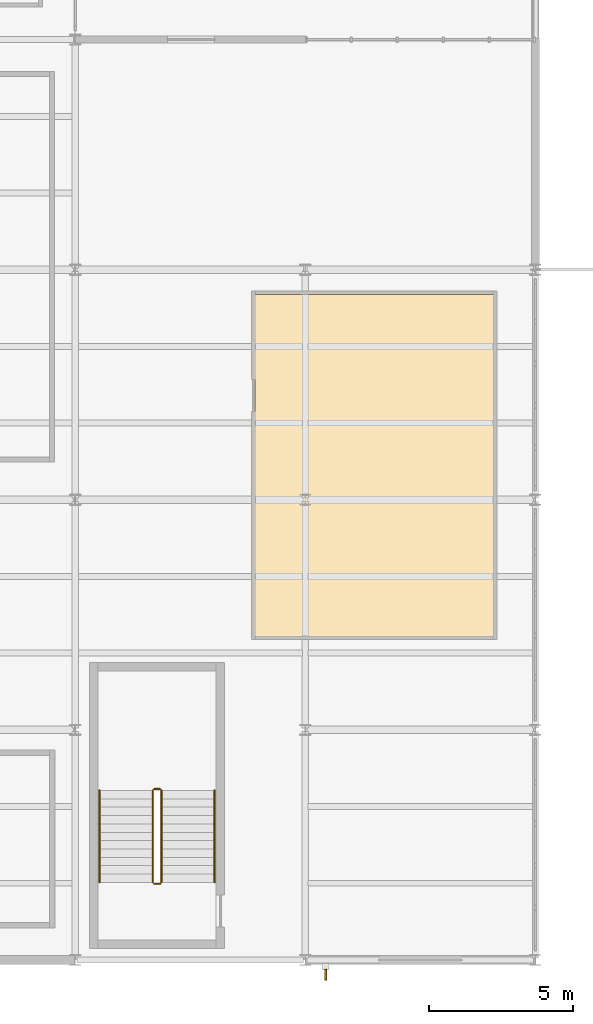
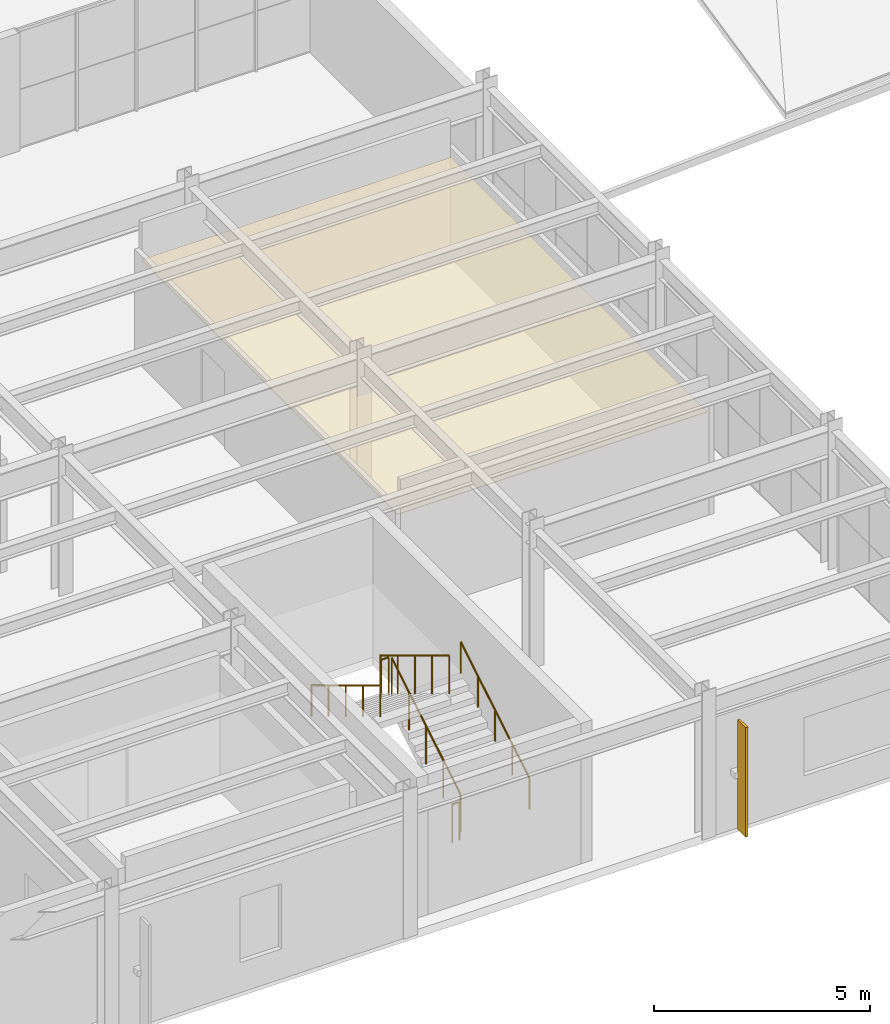
# One storey, part 66 of 67: 6 railings, 1 covering, 1 shading device.
"""IFC4 building model written with IfcOpenShell, lengths in metres."""

from ifc_helpers import new_model, si_unit, direction, frame, origin, origin_2d, place, context, subcontext, project, spatial, polyline, rectangle, circle, outline, extrude, material, layer, layer_set, type_object, element, save


model = new_model("IFC4")

# Units and contexts
model_context = context("Model", 3, precision=1e-05, world=origin(), true_north=direction((0.0, 1.0)))
body_context = subcontext(model_context, "Body", "Model", "MODEL_VIEW")
ifc_project = project(units=[si_unit("LENGTHUNIT", "METRE"), si_unit("AREAUNIT", "SQUARE_METRE"), si_unit("VOLUMEUNIT", "CUBIC_METRE"), si_unit("PLANEANGLEUNIT", "RADIAN"), si_unit("MASSUNIT", "GRAM", prefix="KILO")], contexts=[model_context])

# Site, building, storey
site_placement = place(None, origin())
site = spatial("IfcSite", under=ifc_project, at=site_placement, CompositionType="ELEMENT")
building_placement = place(site_placement, origin())
building = spatial("IfcBuilding", under=site, at=building_placement, Name="Drelvath Fold Interchange", CompositionType="ELEMENT")
storey_placement = place(building_placement, frame((0.0, 0.0, 15.60009765625)))
storey = spatial("IfcBuildingStorey", under=building, at=storey_placement, Name="L03", CompositionType="ELEMENT", Elevation=15.60009765625)

# Covering
ifc_material_1 = material(Name="Perforated Aluminium Acoustic Ceiling", Category="aluminium")
ifc_layer = layer(ifc_material_1, 0.01806640625, Name="Perforated Aluminium Acoustic Ceiling")
ifc_layer_set = layer_set([ifc_layer], Name="Perforated Aluminium Acoustic Ceiling")
covering_type = type_object("IfcCoveringType", Name="CV-CEIL-AL18", PredefinedType="CEILING", material=ifc_layer_set)
covering_placement = place(storey_placement, frame((0.0, 0.0, 2.829833984375)))
element("IfcCovering", 1, at=covering_placement, inside=storey, type_object=covering_type, Name="Fare-System Hardware Testing Lab acoustic ceiling", PredefinedType="CEILING", context=body_context, shape_type="SweptSolid", body=[
    extrude(outline(polyline([(42.2548828125, 14.2548828125), (50.544921875, 14.2548828125), (50.544921875, 26.14501953125), (42.2548828125, 26.14501953125), (42.2548828125, 14.2548828125)])), origin(), (0.0, 0.0, 1.0), 0.02001953125),
])

# Railings
ifc_material_2 = material(Name="Stainless Steel 316L", Category="steel")
railing_type_1 = type_object("IfcRailingType", Name="RL-GRD1100", PredefinedType="GUARDRAIL", material=ifc_material_2)
railing_1_placement = place(storey_placement, frame((39.0, 5.699951171875, 0.1748046875)))
element("IfcRailing", 2, at=railing_1_placement, inside=storey, type_object=railing_type_1, Name="L03 ST-04 stair guard 1", PredefinedType="GUARDRAIL", context=body_context, shape_type="SweptSolid", body=[
    extrude(circle(Radius=0.02392578125, at=origin_2d()), frame((0.0, 0.0, 1.076171875), z_axis=(0.0, 0.856177665481, 0.516681531633), x_axis=(-1.0, 0.0, 0.0)), (0.0, 0.0, 1.0), 3.725830078125),
    extrude(circle(Radius=0.02099609375, at=origin_2d()), origin(), (0.0, 0.0, 1.0), 1.052001953125),
    extrude(circle(Radius=0.02099609375, at=origin_2d()), frame((0.0, 0.79736328125, 0.481201171875)), (0.0, 0.0, 1.0), 1.052001953125),
    extrude(circle(Radius=0.02099609375, at=origin_2d()), frame((0.0, 1.594970703125, 0.96240234375)), (0.0, 0.0, 1.0), 1.052001953125),
    extrude(circle(Radius=0.02099609375, at=origin_2d()), frame((0.0, 2.392578125, 1.44384765625)), (0.0, 0.0, 1.0), 1.052001953125),
    extrude(circle(Radius=0.02099609375, at=origin_2d()), frame((0.0, 3.18994140625, 1.925048828125)), (0.0, 0.0, 1.0), 1.052001953125),
])
railing_2_placement = place(storey_placement, frame((38.949951171875, 8.93994140625, 2.099853515625)))
element("IfcRailing", 3, at=railing_2_placement, inside=storey, type_object=railing_type_1, Name="L03 ST-04 stair guard 2", PredefinedType="GUARDRAIL", context=body_context, shape_type="SweptSolid", body=[
    extrude(circle(Radius=0.02392578125, at=origin_2d()), frame((0.0, 0.0, 1.076171875), z_axis=(-1.0, 0.0, 0.0), x_axis=(0.0, -1.0, 0.0)), (0.0, 0.0, 1.0), 0.199951171875),
    extrude(circle(Radius=0.02099609375, at=origin_2d()), origin(), (0.0, 0.0, 1.0), 1.052001953125),
    extrude(circle(Radius=0.02099609375, at=origin_2d()), frame((-0.199951171875, 0.0, 0.0)), (0.0, 0.0, 1.0), 1.052001953125),
])
railing_3_placement = place(storey_placement, frame((38.699951171875, 8.889892578125, 2.27490234375)))
element("IfcRailing", 4, at=railing_3_placement, inside=storey, type_object=railing_type_1, Name="L03 ST-04 stair guard 3", PredefinedType="GUARDRAIL", context=body_context, shape_type="SweptSolid", body=[
    extrude(circle(Radius=0.02392578125, at=origin_2d()), frame((0.0, 0.0, 1.076171875), z_axis=(0.0, -0.856177665481, 0.516681531633), x_axis=(1.0, 0.0, 0.0)), (0.0, 0.0, 1.0), 3.725830078125),
    extrude(circle(Radius=0.02099609375, at=origin_2d()), origin(), (0.0, 0.0, 1.0), 1.052001953125),
    extrude(circle(Radius=0.02099609375, at=origin_2d()), frame((0.0, -0.79736328125, 0.481201171875)), (0.0, 0.0, 1.0), 1.052001953125),
    extrude(circle(Radius=0.02099609375, at=origin_2d()), frame((0.0, -1.594970703125, 0.96240234375)), (0.0, 0.0, 1.0), 1.052001953125),
    extrude(circle(Radius=0.02099609375, at=origin_2d()), frame((0.0, -2.392578125, 1.44384765625)), (0.0, 0.0, 1.0), 1.052001953125),
    extrude(circle(Radius=0.02099609375, at=origin_2d()), frame((0.0, -3.18994140625, 1.925048828125)), (0.0, 0.0, 1.0), 1.052001953125),
])
railing_4_placement = place(storey_placement, frame((38.949951171875, 5.64990234375, 0.0)))
element("IfcRailing", 5, at=railing_4_placement, inside=storey, type_object=railing_type_1, Name="L03 ST-04 stair guard 4", PredefinedType="GUARDRAIL", context=body_context, shape_type="SweptSolid", body=[
    extrude(circle(Radius=0.02392578125, at=origin_2d()), frame((0.0, 0.0, 1.076171875), z_axis=(-1.0, 0.0, 0.0), x_axis=(0.0, -1.0, 0.0)), (0.0, 0.0, 1.0), 0.199951171875),
    extrude(circle(Radius=0.02099609375, at=origin_2d()), origin(), (0.0, 0.0, 1.0), 1.052001953125),
    extrude(circle(Radius=0.02099609375, at=origin_2d()), frame((-0.199951171875, 0.0, 0.0)), (0.0, 0.0, 1.0), 1.052001953125),
])
railing_type_2 = type_object("IfcRailingType", Name="RL-HND920", PredefinedType="HANDRAIL", material=ifc_material_2)
railing_5_placement = place(storey_placement, frame((40.85009765625, 5.699951171875, 0.1748046875)))
element("IfcRailing", 6, at=railing_5_placement, inside=storey, type_object=railing_type_2, Name="L03 ST-04 stair handrail 1", PredefinedType="HANDRAIL", context=body_context, shape_type="SweptSolid", body=[
    extrude(circle(Radius=0.02392578125, at=origin_2d()), frame((0.0, 0.0, 0.8759765625), z_axis=(0.0, 0.856177665481, 0.516681531633), x_axis=(-1.0, 0.0, 0.0)), (0.0, 0.0, 1.0), 3.725830078125),
    extrude(circle(Radius=0.02099609375, at=origin_2d()), origin(), (0.0, 0.0, 1.0), 0.851806640625),
    extrude(circle(Radius=0.02099609375, at=origin_2d()), frame((0.0, 0.79736328125, 0.481201171875)), (0.0, 0.0, 1.0), 0.851806640625),
    extrude(circle(Radius=0.02099609375, at=origin_2d()), frame((0.0, 1.594970703125, 0.96240234375)), (0.0, 0.0, 1.0), 0.851806640625),
    extrude(circle(Radius=0.02099609375, at=origin_2d()), frame((0.0, 2.392578125, 1.44384765625)), (0.0, 0.0, 1.0), 0.851806640625),
    extrude(circle(Radius=0.02099609375, at=origin_2d()), frame((0.0, 3.18994140625, 1.925048828125)), (0.0, 0.0, 1.0), 0.851806640625),
])
railing_6_placement = place(storey_placement, frame((36.85009765625, 8.889892578125, 2.27490234375)))
element("IfcRailing", 7, at=railing_6_placement, inside=storey, type_object=railing_type_2, Name="L03 ST-04 stair handrail 2", PredefinedType="HANDRAIL", context=body_context, shape_type="SweptSolid", body=[
    extrude(circle(Radius=0.02392578125, at=origin_2d()), frame((0.0, 0.0, 0.8759765625), z_axis=(0.0, -0.856177665481, 0.516681531633), x_axis=(1.0, 0.0, 0.0)), (0.0, 0.0, 1.0), 3.725830078125),
    extrude(circle(Radius=0.02099609375, at=origin_2d()), origin(), (0.0, 0.0, 1.0), 0.851806640625),
    extrude(circle(Radius=0.02099609375, at=origin_2d()), frame((0.0, -0.79736328125, 0.481201171875)), (0.0, 0.0, 1.0), 0.851806640625),
    extrude(circle(Radius=0.02099609375, at=origin_2d()), frame((0.0, -1.594970703125, 0.96240234375)), (0.0, 0.0, 1.0), 0.851806640625),
    extrude(circle(Radius=0.02099609375, at=origin_2d()), frame((0.0, -2.392578125, 1.44384765625)), (0.0, 0.0, 1.0), 0.851806640625),
    extrude(circle(Radius=0.02099609375, at=origin_2d()), frame((0.0, -3.18994140625, 1.925048828125)), (0.0, 0.0, 1.0), 0.851806640625),
])

# Shading device
ifc_material_3 = material(Name="Anodized Aluminium 6063-T6", Category="aluminium")
shading_device_type = type_object("IfcShadingDeviceType", Name="SD-FIN380", PredefinedType="JALOUSIE", material=ifc_material_3)
shading_device_placement = place(storey_placement, frame((44.7099609375, 2.492919921875, 0.099853515625), z_axis=(0.0, 0.0, 1.0), x_axis=(0.0, 1.0, 0.0)))
element("IfcShadingDevice", 8, at=shading_device_placement, inside=storey, type_object=shading_device_type, Name="Vertical aluminium solar fin 31", PredefinedType="JALOUSIE", context=body_context, shape_type="SweptSolid", body=[
    extrude(rectangle(XDim=0.3798828125, YDim=0.06494140625, at=origin_2d()), origin(), (0.0, 0.0, 1.0), 3.10009765625),
])

save(model, "model.ifc")
